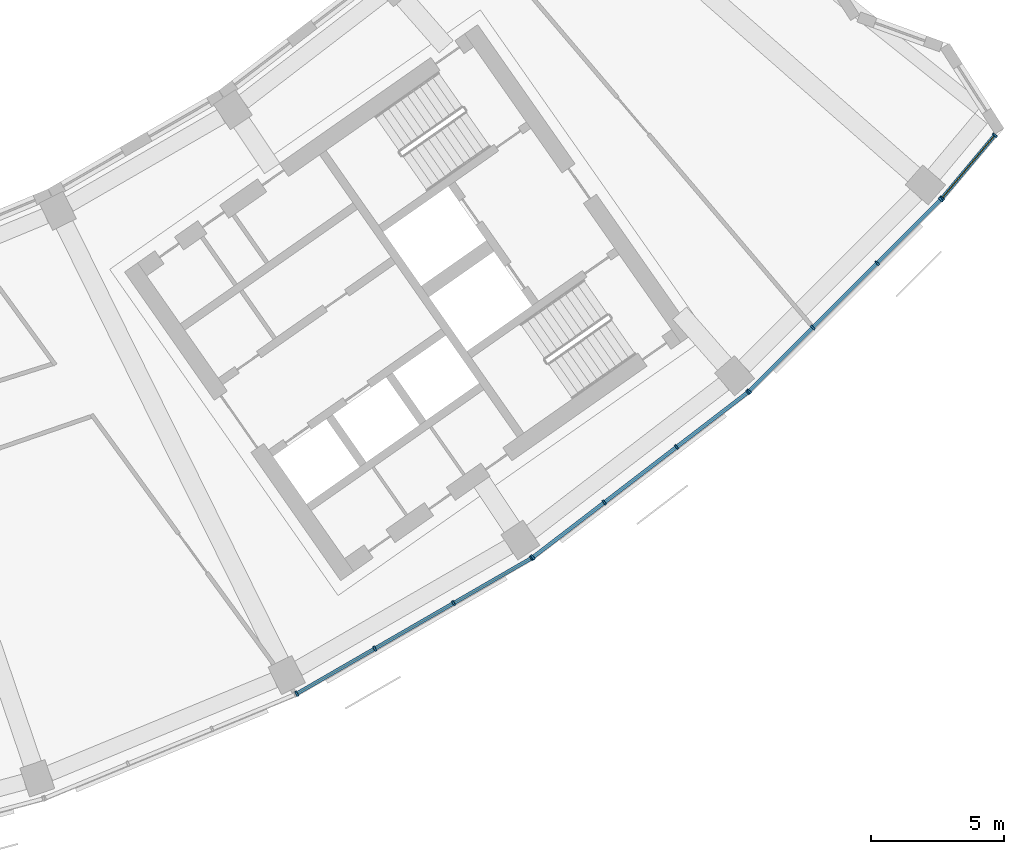
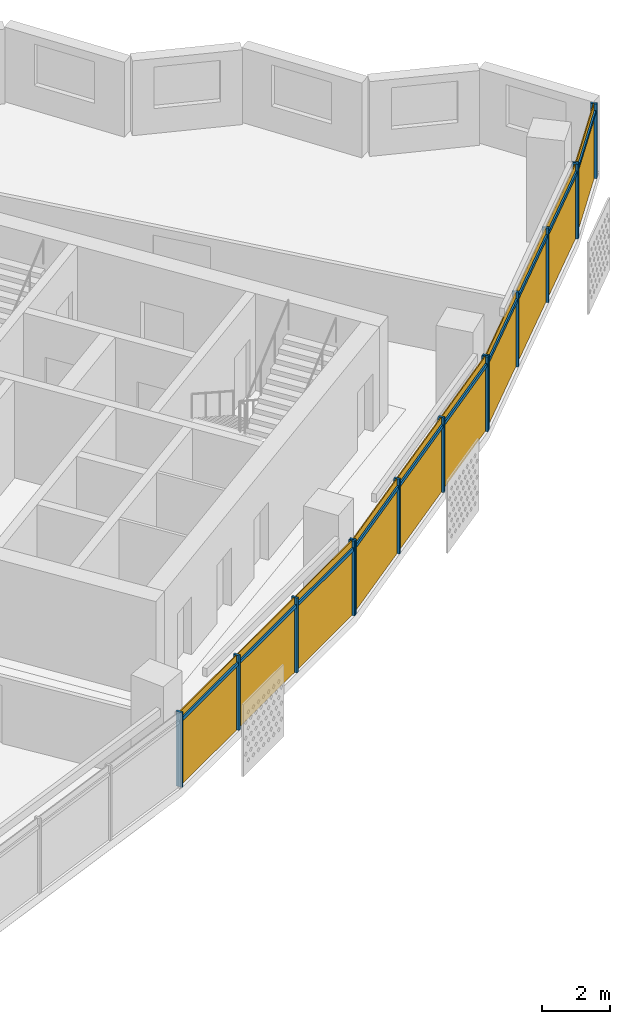
# One storey, part 21 of 28: 24 members, 4 curtain walls.
"""IFC4 building model written with IfcOpenShell, lengths in metres."""

from ifc_helpers import new_model, si_unit, direction, frame, origin, origin_2d, place, context, subcontext, project, spatial, rectangle, extrude, material, material_profile, profile_set, type_object, element, aggregate, save


model = new_model("IFC4")

# Units and contexts
model_context = context("Model", 3, precision=1e-05, world=origin(), true_north=direction((0.0, 1.0)))
body_context = subcontext(model_context, "Body", "Model", "MODEL_VIEW")
ifc_project = project(units=[si_unit("LENGTHUNIT", "METRE"), si_unit("AREAUNIT", "SQUARE_METRE"), si_unit("VOLUMEUNIT", "CUBIC_METRE"), si_unit("PLANEANGLEUNIT", "RADIAN"), si_unit("MASSUNIT", "GRAM", prefix="KILO")], contexts=[model_context])

# Member
ifc_material = material(Name="Aluminium 6063-T6 anodised", Category="aluminium")
ifc_material_profile_1 = material_profile(ifc_material, rectangle(XDim=0.199951171875, YDim=0.070068359375, at=origin_2d()))
ifc_profile_set_1 = profile_set([ifc_material_profile_1], Name="Aluminium 6063-T6 anodised")
member_type_1 = type_object("IfcMemberType", Name="Mullion 70 x 200 aluminium", PredefinedType="MULLION", material=ifc_profile_set_1)
site_placement = place(None, origin())
building_placement = place(site_placement, origin())
storey_placement = place(building_placement, frame((0.0, 0.0, 245.5)))
member_1_placement = place(storey_placement, frame((34.766357421875, -70.43505859375, 0.0), z_axis=(0.0, 0.0, 1.0), x_axis=(-0.5, 0.866025403784, 0.0)))
member_1 = element("IfcMember", 1, at=member_1_placement, type_object=member_type_1, Name="e-cw1-L59-out12/M00", PredefinedType="MULLION", context=body_context, shape_type="SweptSolid", body=[
    extrude(rectangle(XDim=0.199951171875, YDim=0.070068359375, at=origin_2d()), origin(), (0.0, 0.0, 1.0), 2.699951171875),
])

member_2_placement = place(storey_placement, frame((37.705810546875, -68.73779296875, 0.0), z_axis=(0.0, 0.0, 1.0), x_axis=(-0.5, 0.866025403784, 0.0)))
member_2 = element("IfcMember", 2, at=member_2_placement, type_object=member_type_1, Name="e-cw1-L59-out12/M01", PredefinedType="MULLION", context=body_context, shape_type="SweptSolid", body=[
    extrude(rectangle(XDim=0.199951171875, YDim=0.070068359375, at=origin_2d()), origin(), (0.0, 0.0, 1.0), 2.699951171875),
])

member_3_placement = place(storey_placement, frame((40.67578125, -67.023193359375, 0.0), z_axis=(0.0, 0.0, 1.0), x_axis=(-0.5, 0.866025403784, 0.0)))
member_3 = element("IfcMember", 3, at=member_3_placement, type_object=member_type_1, Name="e-cw1-L59-out12/M02", PredefinedType="MULLION", context=body_context, shape_type="SweptSolid", body=[
    extrude(rectangle(XDim=0.199951171875, YDim=0.070068359375, at=origin_2d()), origin(), (0.0, 0.0, 1.0), 2.699951171875),
])

member_4_placement = place(storey_placement, frame((43.615234375, -65.325927734375, 0.0), z_axis=(0.0, 0.0, 1.0), x_axis=(-0.5, 0.866025403784, 0.0)))
member_4 = element("IfcMember", 4, at=member_4_placement, type_object=member_type_1, Name="e-cw1-L59-out12/M03", PredefinedType="MULLION", context=body_context, shape_type="SweptSolid", body=[
    extrude(rectangle(XDim=0.199951171875, YDim=0.070068359375, at=origin_2d()), origin(), (0.0, 0.0, 1.0), 2.699951171875),
])

member_5_placement = place(storey_placement, frame((43.66259765625, -65.29443359375, 0.0), z_axis=(0.0, 0.0, 1.0), x_axis=(-0.608761429009, 0.793353340291, 0.0)))
member_5 = element("IfcMember", 5, at=member_5_placement, type_object=member_type_1, Name="e-cw1-L59-out13/M00", PredefinedType="MULLION", context=body_context, shape_type="SweptSolid", body=[
    extrude(rectangle(XDim=0.199951171875, YDim=0.070068359375, at=origin_2d()), origin(), (0.0, 0.0, 1.0), 2.699951171875),
])

member_6_placement = place(storey_placement, frame((46.35546875, -63.22802734375, 0.0), z_axis=(0.0, 0.0, 1.0), x_axis=(-0.608761429009, 0.793353340291, 0.0)))
member_6 = element("IfcMember", 6, at=member_6_placement, type_object=member_type_1, Name="e-cw1-L59-out13/M01", PredefinedType="MULLION", context=body_context, shape_type="SweptSolid", body=[
    extrude(rectangle(XDim=0.199951171875, YDim=0.070068359375, at=origin_2d()), origin(), (0.0, 0.0, 1.0), 2.699951171875),
])

member_7_placement = place(storey_placement, frame((49.075927734375, -61.140380859375, 0.0), z_axis=(0.0, 0.0, 1.0), x_axis=(-0.608761429009, 0.793353340291, 0.0)))
member_7 = element("IfcMember", 7, at=member_7_placement, type_object=member_type_1, Name="e-cw1-L59-out13/M02", PredefinedType="MULLION", context=body_context, shape_type="SweptSolid", body=[
    extrude(rectangle(XDim=0.199951171875, YDim=0.070068359375, at=origin_2d()), origin(), (0.0, 0.0, 1.0), 2.699951171875),
])

member_8_placement = place(storey_placement, frame((51.768798828125, -59.07421875, 0.0), z_axis=(0.0, 0.0, 1.0), x_axis=(-0.608761429009, 0.793353340291, 0.0)))
member_8 = element("IfcMember", 8, at=member_8_placement, type_object=member_type_1, Name="e-cw1-L59-out13/M03", PredefinedType="MULLION", context=body_context, shape_type="SweptSolid", body=[
    extrude(rectangle(XDim=0.199951171875, YDim=0.070068359375, at=origin_2d()), origin(), (0.0, 0.0, 1.0), 2.699951171875),
])

member_9_placement = place(storey_placement, frame((51.8115234375, -59.03662109375, 0.0), z_axis=(0.0, 0.0, 1.0), x_axis=(-0.707106781187, 0.707106781187, 0.0)))
member_9 = element("IfcMember", 9, at=member_9_placement, type_object=member_type_1, Name="e-cw1-L59-out14/M00", PredefinedType="MULLION", context=body_context, shape_type="SweptSolid", body=[
    extrude(rectangle(XDim=0.199951171875, YDim=0.070068359375, at=origin_2d()), origin(), (0.0, 0.0, 1.0), 2.699951171875),
])

member_10_placement = place(storey_placement, frame((54.211669921875, -56.63671875, 0.0), z_axis=(0.0, 0.0, 1.0), x_axis=(-0.707106781187, 0.707106781187, 0.0)))
member_10 = element("IfcMember", 10, at=member_10_placement, type_object=member_type_1, Name="e-cw1-L59-out14/M01", PredefinedType="MULLION", context=body_context, shape_type="SweptSolid", body=[
    extrude(rectangle(XDim=0.199951171875, YDim=0.070068359375, at=origin_2d()), origin(), (0.0, 0.0, 1.0), 2.699951171875),
])

member_11_placement = place(storey_placement, frame((56.63671875, -54.211669921875, 0.0), z_axis=(0.0, 0.0, 1.0), x_axis=(-0.707106781187, 0.707106781187, 0.0)))
member_11 = element("IfcMember", 11, at=member_11_placement, type_object=member_type_1, Name="e-cw1-L59-out14/M02", PredefinedType="MULLION", context=body_context, shape_type="SweptSolid", body=[
    extrude(rectangle(XDim=0.199951171875, YDim=0.070068359375, at=origin_2d()), origin(), (0.0, 0.0, 1.0), 2.699951171875),
])

member_12_placement = place(storey_placement, frame((59.03662109375, -51.8115234375, 0.0), z_axis=(0.0, 0.0, 1.0), x_axis=(-0.707106781187, 0.707106781187, 0.0)))
member_12 = element("IfcMember", 12, at=member_12_placement, type_object=member_type_1, Name="e-cw1-L59-out14/M03", PredefinedType="MULLION", context=body_context, shape_type="SweptSolid", body=[
    extrude(rectangle(XDim=0.199951171875, YDim=0.070068359375, at=origin_2d()), origin(), (0.0, 0.0, 1.0), 2.699951171875),
])

member_13_placement = place(storey_placement, frame((59.078125, -51.7666015625, 0.0), z_axis=(0.0, 0.0, 1.0), x_axis=(-0.766550537433, 0.642183987312, 0.0)))
member_13 = element("IfcMember", 13, at=member_13_placement, type_object=member_type_1, Name="e-cw1-L59-out15/M00", PredefinedType="MULLION", context=body_context, shape_type="SweptSolid", body=[
    extrude(rectangle(XDim=0.199951171875, YDim=0.070068359375, at=origin_2d()), origin(), (0.0, 0.0, 1.0), 2.699951171875),
])

member_14_placement = place(storey_placement, frame((61.069091796875, -49.389892578125, 0.0), z_axis=(0.0, 0.0, 1.0), x_axis=(-0.766550537433, 0.642183987312, 0.0)))
member_14 = element("IfcMember", 14, at=member_14_placement, type_object=member_type_1, Name="e-cw1-L59-out15/M01", PredefinedType="MULLION", context=body_context, shape_type="SweptSolid", body=[
    extrude(rectangle(XDim=0.199951171875, YDim=0.070068359375, at=origin_2d()), origin(), (0.0, 0.0, 1.0), 2.699951171875),
])

ifc_material_profile_2 = material_profile(ifc_material, rectangle(XDim=0.139892578125, YDim=0.1201171875, at=origin_2d()))
ifc_profile_set_2 = profile_set([ifc_material_profile_2], Name="Aluminium 6063-T6 anodised")
member_type_2 = type_object("IfcMemberType", Name="Transom 120 x 140 aluminium", PredefinedType="USERDEFINED", material=ifc_profile_set_2)
member_15_placement = place(storey_placement, frame((34.796630859375, -70.41748046875, 2.39990234375), z_axis=(0.866029041019, 0.499993700073, 0.0), x_axis=(-0.499993700073, 0.866029041019, 0.0)))
member_15 = element("IfcMember", 15, at=member_15_placement, type_object=member_type_2, Name="e-cw1-L59-out12/T00", ObjectType="TRANSOM", PredefinedType="USERDEFINED", context=body_context, shape_type="SweptSolid", body=[
    extrude(rectangle(XDim=0.139892578125, YDim=0.1201171875, at=origin_2d()), origin(), (0.0, 0.0, 1.0), 3.32421875),
])

member_16_placement = place(storey_placement, frame((37.736083984375, -68.72021484375, 2.39990234375), z_axis=(0.866034314054, 0.499984566643, 0.0), x_axis=(-0.499984566643, 0.866034314054, 0.0)))
member_16 = element("IfcMember", 16, at=member_16_placement, type_object=member_type_2, Name="e-cw1-L59-out12/T01", ObjectType="TRANSOM", PredefinedType="USERDEFINED", context=body_context, shape_type="SweptSolid", body=[
    extrude(rectangle(XDim=0.139892578125, YDim=0.1201171875, at=origin_2d()), origin(), (0.0, 0.0, 1.0), 3.359375),
])

member_17_placement = place(storey_placement, frame((40.7060546875, -67.005615234375, 2.39990234375), z_axis=(0.866029041019, 0.499993700073, 0.0), x_axis=(-0.499993700073, 0.866029041019, 0.0)))
member_17 = element("IfcMember", 17, at=member_17_placement, type_object=member_type_2, Name="e-cw1-L59-out12/T02", ObjectType="TRANSOM", PredefinedType="USERDEFINED", context=body_context, shape_type="SweptSolid", body=[
    extrude(rectangle(XDim=0.139892578125, YDim=0.1201171875, at=origin_2d()), origin(), (0.0, 0.0, 1.0), 3.32421875),
])

member_18_placement = place(storey_placement, frame((43.690185546875, -65.273193359375, 2.39990234375), z_axis=(0.793368713958, 0.608741393132, 0.0), x_axis=(-0.608741393132, 0.793368713958, 0.0)))
member_18 = element("IfcMember", 18, at=member_18_placement, type_object=member_type_2, Name="e-cw1-L59-out13/T00", ObjectType="TRANSOM", PredefinedType="USERDEFINED", context=body_context, shape_type="SweptSolid", body=[
    extrude(rectangle(XDim=0.139892578125, YDim=0.1201171875, at=origin_2d()), origin(), (0.0, 0.0, 1.0), 3.324462890625),
])

member_19_placement = place(storey_placement, frame((46.383056640625, -63.206787109375, 2.39990234375), z_axis=(0.793385234627, 0.608719861247, 0.0), x_axis=(-0.608719861247, 0.793385234627, 0.0)))
member_19 = element("IfcMember", 19, at=member_19_placement, type_object=member_type_2, Name="e-cw1-L59-out13/T01", ObjectType="TRANSOM", PredefinedType="USERDEFINED", context=body_context, shape_type="SweptSolid", body=[
    extrude(rectangle(XDim=0.139892578125, YDim=0.1201171875, at=origin_2d()), origin(), (0.0, 0.0, 1.0), 3.359375),
])

member_20_placement = place(storey_placement, frame((49.103759765625, -61.119140625, 2.39990234375), z_axis=(0.793368713958, 0.608741393132, 0.0), x_axis=(-0.608741393132, 0.793368713958, 0.0)))
member_20 = element("IfcMember", 20, at=member_20_placement, type_object=member_type_2, Name="e-cw1-L59-out13/T02", ObjectType="TRANSOM", PredefinedType="USERDEFINED", context=body_context, shape_type="SweptSolid", body=[
    extrude(rectangle(XDim=0.139892578125, YDim=0.1201171875, at=origin_2d()), origin(), (0.0, 0.0, 1.0), 3.324462890625),
])

member_21_placement = place(storey_placement, frame((51.83642578125, -59.011962890625, 2.39990234375), z_axis=(0.707106781187, 0.707106781187, 0.0), x_axis=(-0.707106781187, 0.707106781187, 0.0)))
member_21 = element("IfcMember", 21, at=member_21_placement, type_object=member_type_2, Name="e-cw1-L59-out14/T00", ObjectType="TRANSOM", PredefinedType="USERDEFINED", context=body_context, shape_type="SweptSolid", body=[
    extrude(rectangle(XDim=0.139892578125, YDim=0.1201171875, at=origin_2d()), origin(), (0.0, 0.0, 1.0), 3.32421875),
])

member_22_placement = place(storey_placement, frame((54.236572265625, -56.61181640625, 2.39990234375), z_axis=(0.707106781187, 0.707106781187, 0.0), x_axis=(-0.707106781187, 0.707106781187, 0.0)))
member_22 = element("IfcMember", 22, at=member_22_placement, type_object=member_type_2, Name="e-cw1-L59-out14/T01", ObjectType="TRANSOM", PredefinedType="USERDEFINED", context=body_context, shape_type="SweptSolid", body=[
    extrude(rectangle(XDim=0.139892578125, YDim=0.1201171875, at=origin_2d()), origin(), (0.0, 0.0, 1.0), 3.359130859375),
])

member_23_placement = place(storey_placement, frame((56.661376953125, -54.18701171875, 2.39990234375), z_axis=(0.707106781187, 0.707106781187, 0.0), x_axis=(-0.707106781187, 0.707106781187, 0.0)))
member_23 = element("IfcMember", 23, at=member_23_placement, type_object=member_type_2, Name="e-cw1-L59-out14/T02", ObjectType="TRANSOM", PredefinedType="USERDEFINED", context=body_context, shape_type="SweptSolid", body=[
    extrude(rectangle(XDim=0.139892578125, YDim=0.1201171875, at=origin_2d()), origin(), (0.0, 0.0, 1.0), 3.32421875),
])

member_24_placement = place(storey_placement, frame((59.1005859375, -51.73974609375, 2.39990234375), z_axis=(0.642171246637, 0.766561210858, 0.0), x_axis=(-0.766561210858, 0.642171246637, 0.0)))
member_24 = element("IfcMember", 24, at=member_24_placement, type_object=member_type_2, Name="e-cw1-L59-out15/T00", ObjectType="TRANSOM", PredefinedType="USERDEFINED", context=body_context, shape_type="SweptSolid", body=[
    extrude(rectangle(XDim=0.139892578125, YDim=0.1201171875, at=origin_2d()), origin(), (0.0, 0.0, 1.0), 3.030517578125),
])

# Site, building, storey
site = spatial("IfcSite", under=ifc_project, at=site_placement, CompositionType="ELEMENT")
building = spatial("IfcBuilding", under=site, at=building_placement, Name="Qamariyya Broadcast Tower", CompositionType="ELEMENT")
storey = spatial("IfcBuildingStorey", under=building, at=storey_placement, Name="L59", CompositionType="ELEMENT", Elevation=245.5)

# Curtain wall
curtain_wall_type = type_object("IfcCurtainWallType", Name="Unitised curtain wall, anodised aluminium", PredefinedType="NOTDEFINED", material=ifc_material)
curtain_wall_1_placement = place(storey_placement, origin())
curtain_wall_1 = element("IfcCurtainWall", 25, at=curtain_wall_1_placement, inside=storey, type_object=curtain_wall_type, Name="e-cw1-L59-out12", PredefinedType="NOTDEFINED", context=body_context, shape_type="SweptSolid", body=[
    extrude(rectangle(XDim=3.32421875, YDim=0.031982421875, at=origin_2d()), frame((36.236083984375, -69.58642578125, 0.0), x_axis=(0.866027904674, 0.499995668308, 0.0)), (0.0, 0.0, 1.0), 2.340087890625),
    extrude(rectangle(XDim=3.32421875, YDim=0.031982421875, at=origin_2d()), frame((36.236083984375, -69.58642578125, 2.4599609375), x_axis=(0.866027904674, 0.499995668308, 0.0)), (0.0, 0.0, 1.0), 0.239990234375),
    extrude(rectangle(XDim=3.359130859375, YDim=0.031982421875, at=origin_2d()), frame((39.19091796875, -67.88037109375, 0.0), x_axis=(0.866027904674, 0.499995668308, 0.0)), (0.0, 0.0, 1.0), 2.340087890625),
    extrude(rectangle(XDim=3.359130859375, YDim=0.031982421875, at=origin_2d()), frame((39.19091796875, -67.88037109375, 2.4599609375), x_axis=(0.866027904674, 0.499995668308, 0.0)), (0.0, 0.0, 1.0), 0.239990234375),
    extrude(rectangle(XDim=3.32421875, YDim=0.031982421875, at=origin_2d()), frame((42.1455078125, -66.174560546875, 0.0), x_axis=(0.866027904674, 0.499995668308, 0.0)), (0.0, 0.0, 1.0), 2.340087890625),
    extrude(rectangle(XDim=3.32421875, YDim=0.031982421875, at=origin_2d()), frame((42.1455078125, -66.174560546875, 2.4599609375), x_axis=(0.866027904674, 0.499995668308, 0.0)), (0.0, 0.0, 1.0), 0.239990234375),
])

aggregate(curtain_wall_1, [member_1, member_2, member_3, member_4, member_15, member_16, member_17])

curtain_wall_2_placement = place(storey_placement, origin())
curtain_wall_2 = element("IfcCurtainWall", 26, at=curtain_wall_2_placement, inside=storey, type_object=curtain_wall_type, Name="e-cw1-L59-out13", PredefinedType="NOTDEFINED", context=body_context, shape_type="SweptSolid", body=[
    extrude(rectangle(XDim=3.32421875, YDim=0.031982421875, at=origin_2d()), frame((45.009033203125, -64.26123046875, 0.0), x_axis=(0.793359168734, 0.608753833159, 0.0)), (0.0, 0.0, 1.0), 2.340087890625),
    extrude(rectangle(XDim=3.32421875, YDim=0.031982421875, at=origin_2d()), frame((45.009033203125, -64.26123046875, 2.4599609375), x_axis=(0.793359168734, 0.608753833159, 0.0)), (0.0, 0.0, 1.0), 0.239990234375),
    extrude(rectangle(XDim=3.359130859375, YDim=0.031982421875, at=origin_2d()), frame((47.7158203125, -62.184326171875, 0.0), x_axis=(0.793359168734, 0.608753833159, 0.0)), (0.0, 0.0, 1.0), 2.340087890625),
    extrude(rectangle(XDim=3.359130859375, YDim=0.031982421875, at=origin_2d()), frame((47.7158203125, -62.184326171875, 2.4599609375), x_axis=(0.793359168734, 0.608753833159, 0.0)), (0.0, 0.0, 1.0), 0.239990234375),
    extrude(rectangle(XDim=3.32421875, YDim=0.031982421875, at=origin_2d()), frame((50.42236328125, -60.107421875, 0.0), x_axis=(0.793359168734, 0.608753833159, 0.0)), (0.0, 0.0, 1.0), 2.340087890625),
    extrude(rectangle(XDim=3.32421875, YDim=0.031982421875, at=origin_2d()), frame((50.42236328125, -60.107421875, 2.4599609375), x_axis=(0.793359168734, 0.608753833159, 0.0)), (0.0, 0.0, 1.0), 0.239990234375),
])

aggregate(curtain_wall_2, [member_5, member_6, member_7, member_8, member_18, member_19, member_20])

curtain_wall_3_placement = place(storey_placement, origin())
curtain_wall_3 = element("IfcCurtainWall", 27, at=curtain_wall_3_placement, inside=storey, type_object=curtain_wall_type, Name="e-cw1-L59-out14", PredefinedType="NOTDEFINED", context=body_context, shape_type="SweptSolid", body=[
    extrude(rectangle(XDim=3.32421875, YDim=0.031982421875, at=origin_2d()), frame((53.01171875, -57.836669921875, 0.0), x_axis=(0.707106781187, 0.707106781187, 0.0)), (0.0, 0.0, 1.0), 2.340087890625),
    extrude(rectangle(XDim=3.32421875, YDim=0.031982421875, at=origin_2d()), frame((53.01171875, -57.836669921875, 2.4599609375), x_axis=(0.707106781187, 0.707106781187, 0.0)), (0.0, 0.0, 1.0), 0.239990234375),
    extrude(rectangle(XDim=3.359375, YDim=0.031982421875, at=origin_2d()), frame((55.42431640625, -55.42431640625, 0.0), x_axis=(0.707106781187, 0.707106781187, 0.0)), (0.0, 0.0, 1.0), 2.340087890625),
    extrude(rectangle(XDim=3.359375, YDim=0.031982421875, at=origin_2d()), frame((55.42431640625, -55.42431640625, 2.4599609375), x_axis=(0.707106781187, 0.707106781187, 0.0)), (0.0, 0.0, 1.0), 0.239990234375),
    extrude(rectangle(XDim=3.32421875, YDim=0.031982421875, at=origin_2d()), frame((57.836669921875, -53.01171875, 0.0), x_axis=(0.707106781187, 0.707106781187, 0.0)), (0.0, 0.0, 1.0), 2.340087890625),
    extrude(rectangle(XDim=3.32421875, YDim=0.031982421875, at=origin_2d()), frame((57.836669921875, -53.01171875, 2.4599609375), x_axis=(0.707106781187, 0.707106781187, 0.0)), (0.0, 0.0, 1.0), 0.239990234375),
])

aggregate(curtain_wall_3, [member_9, member_10, member_11, member_12, member_21, member_22, member_23])

curtain_wall_4_placement = place(storey_placement, origin())
curtain_wall_4 = element("IfcCurtainWall", 28, at=curtain_wall_4_placement, inside=storey, type_object=curtain_wall_type, Name="e-cw1-L59-out15", PredefinedType="NOTDEFINED", context=body_context, shape_type="SweptSolid", body=[
    extrude(rectangle(XDim=3.0302734375, YDim=0.031982421875, at=origin_2d()), frame((60.07373046875, -50.578125, 0.0), x_axis=(0.642181952014, 0.766552242517, 0.0)), (0.0, 0.0, 1.0), 2.340087890625),
    extrude(rectangle(XDim=3.0302734375, YDim=0.031982421875, at=origin_2d()), frame((60.07373046875, -50.578125, 2.4599609375), x_axis=(0.642181952014, 0.766552242517, 0.0)), (0.0, 0.0, 1.0), 0.239990234375),
])

aggregate(curtain_wall_4, [member_13, member_14, member_24])

save(model, "model.ifc")
